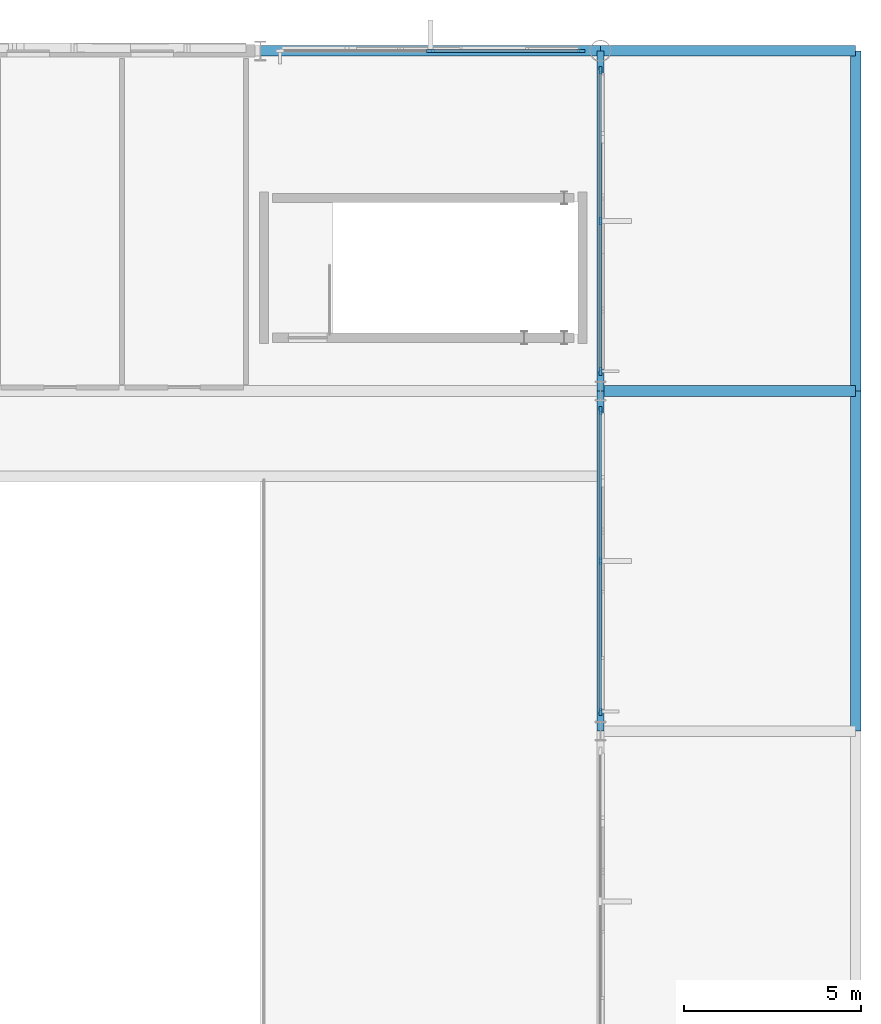
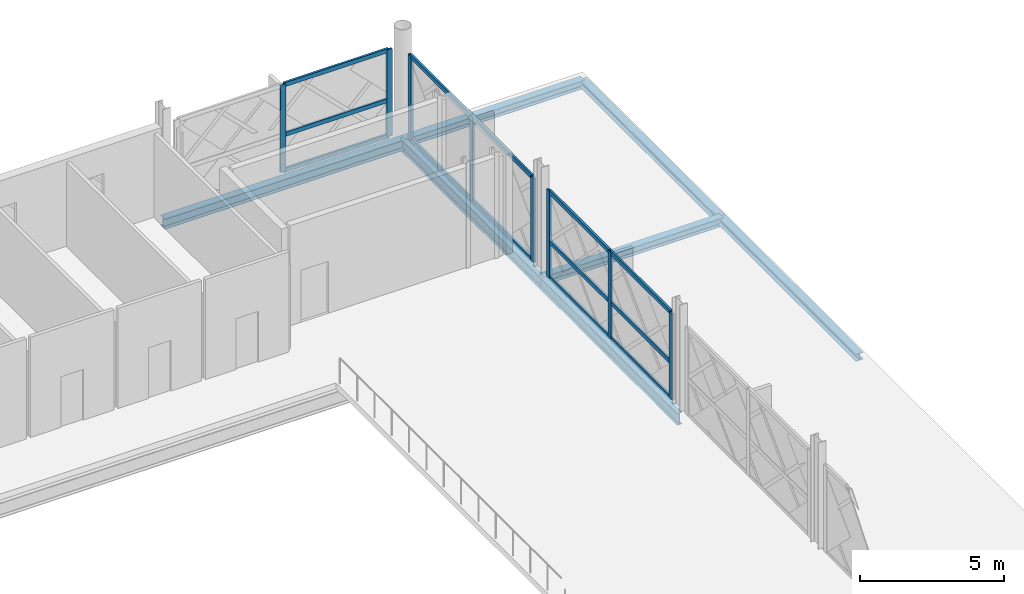
# One storey, part 58 of 101: 21 members, 7 beams, 3 elements without a shape of their own.
"""IFC4 building model written with IfcOpenShell, lengths in metres."""

from ifc_helpers import new_model, si_unit, direction, frame, origin, origin_2d, place, context, subcontext, project, spatial, rectangle, i_section, extrude, material, layer, layer_set, material_profile, profile_set, type_object, element, aggregate, save


model = new_model("IFC4")

# Units and contexts
model_context = context("Model", 3, precision=1e-05, world=origin(), true_north=direction((0.0, 1.0)))
body_context = subcontext(model_context, "Body", "Model", "MODEL_VIEW")
ifc_project = project(units=[si_unit("LENGTHUNIT", "METRE"), si_unit("AREAUNIT", "SQUARE_METRE"), si_unit("VOLUMEUNIT", "CUBIC_METRE"), si_unit("PLANEANGLEUNIT", "RADIAN"), si_unit("MASSUNIT", "GRAM", prefix="KILO")], contexts=[model_context])

# Site, building, storey
site_placement = place(None, origin())
site = spatial("IfcSite", under=ifc_project, at=site_placement, CompositionType="ELEMENT")
building_placement = place(site_placement, origin())
building = spatial("IfcBuilding", under=site, at=building_placement, Name="Zevrakil Square Congress Hotel", CompositionType="ELEMENT")
storey_placement = place(building_placement, frame((0.0, 0.0, 5.39990234375)))
storey = spatial("IfcBuildingStorey", under=building, at=storey_placement, Name="L02", CompositionType="ELEMENT", Elevation=5.39990234375)

# Beams
ifc_material_1 = material(Name="Steel S355", Category="steel")
ifc_material_profile_1 = material_profile(ifc_material_1, i_section(OverallWidth=0.300048828125, OverallDepth=0.35009765625, WebThickness=0.010009765625, FlangeThickness=0.017578125, FilletRadius=0.027099609375, at=origin_2d()), Name="HEA 360")
ifc_profile_set_1 = profile_set([ifc_material_profile_1], Name="Steel S355")
beam_type_1 = type_object("IfcBeamType", Name="BM-HEA360", PredefinedType="BEAM", material=ifc_profile_set_1)
for number, where, z_axis, x_axis, name in (
    (1, (165.60009765625, 103.199951171875, -0.434814453125), (1.0, 0.0, 0.0), (0.0, 1.0, 0.0), "L02 primary girder BX-0798"),
    (2, (165.60009765625, 112.800048828125, -0.434814453125), (1.0, 0.0, 0.0), (0.0, 1.0, 0.0), "L02 primary girder BX-0817"),
):
    element("IfcBeam", number, at=place(storey_placement, frame(where, z_axis=z_axis, x_axis=x_axis)), inside=storey, type_object=beam_type_1, Name=name, PredefinedType="BEAM", context=body_context, shape_type="SweptSolid", body=[
        extrude(i_section(OverallWidth=0.300048828125, OverallDepth=0.35009765625, WebThickness=0.010009765625, FlangeThickness=0.017578125, FilletRadius=0.027099609375, at=origin_2d()), origin(), (0.0, 0.0, 1.0), 7.199951171875),
    ])
ifc_material_2 = material(Name="Steel S355", Category="steel")
ifc_material_profile_2 = material_profile(ifc_material_2, i_section(OverallWidth=0.300048828125, OverallDepth=0.43994140625, WebThickness=0.011474609375, FlangeThickness=0.02099609375, FilletRadius=0.027099609375, at=origin_2d()), Name="HEA 450")
ifc_profile_set_2 = profile_set([ifc_material_profile_2], Name="Steel S355")
beam_type_2 = type_object("IfcBeamType", Name="BM-HEA450", PredefinedType="BEAM", material=ifc_profile_set_2)
beam_1_placement = place(storey_placement, frame((156.0, 112.800048828125, -0.47998046875), z_axis=(1.0, 0.0, 0.0), x_axis=(0.0, 1.0, 0.0)))
element("IfcBeam", 3, at=beam_1_placement, inside=storey, type_object=beam_type_2, Name="L02 primary girder BX-0816", PredefinedType="BEAM", context=body_context, shape_type="SweptSolid", body=[
    extrude(i_section(OverallWidth=0.300048828125, OverallDepth=0.43994140625, WebThickness=0.011474609375, FlangeThickness=0.02099609375, FilletRadius=0.027099609375, at=origin_2d()), origin(), (0.0, 0.0, 1.0), 9.60009765625),
])
ifc_material_3 = material(Name="Steel S355", Category="steel")
ifc_material_profile_3 = material_profile(ifc_material_3, i_section(OverallWidth=0.199951171875, OverallDepth=0.5, WebThickness=0.01025390625, FlangeThickness=0.01611328125, FilletRadius=0.02099609375, at=origin_2d()), Name="IPE 500")
ifc_profile_set_3 = profile_set([ifc_material_profile_3], Name="Steel S355")
beam_type_3 = type_object("IfcBeamType", Name="BM-IPE500", PredefinedType="BEAM", material=ifc_profile_set_3)
beam_2_placement = place(storey_placement, frame((165.60009765625, 93.60009765625, -0.510009765625), z_axis=(0.0, 1.0, 0.0), x_axis=(-1.0, 0.0, 0.0)))
element("IfcBeam", 4, at=beam_2_placement, inside=storey, type_object=beam_type_3, Name="L02 primary girder BY-0954", PredefinedType="BEAM", context=body_context, shape_type="SweptSolid", body=[
    extrude(i_section(OverallWidth=0.199951171875, OverallDepth=0.5, WebThickness=0.01025390625, FlangeThickness=0.01611328125, FilletRadius=0.02099609375, at=origin_2d()), origin(), (0.0, 0.0, 1.0), 9.599853515625),
])
beam_3_placement = place(storey_placement, frame((165.60009765625, 103.199951171875, -0.510009765625), z_axis=(0.0, 1.0, 0.0), x_axis=(-1.0, 0.0, 0.0)))
element("IfcBeam", 5, at=beam_3_placement, inside=storey, type_object=beam_type_3, Name="L02 primary girder BY-0955", PredefinedType="BEAM", context=body_context, shape_type="SweptSolid", body=[
    extrude(i_section(OverallWidth=0.199951171875, OverallDepth=0.5, WebThickness=0.01025390625, FlangeThickness=0.01611328125, FilletRadius=0.02099609375, at=origin_2d()), origin(), (0.0, 0.0, 1.0), 9.60009765625),
])

# Curtain wall, members
ifc_material_4 = material(Name="Aluminium Anodised Bronze", Category="aluminium")
ifc_layer = layer(ifc_material_4, 0.179931640625)
ifc_layer_set = layer_set([ifc_layer], Name="Aluminium Anodised Bronze")
curtain_wall_type = type_object("IfcCurtainWallType", Name="CW-L02-840", PredefinedType="USERDEFINED", material=ifc_layer_set)
curtain_wall_1_placement = place(storey_placement, origin())
curtain_wall_1 = element("IfcCurtainWall", 6, at=curtain_wall_1_placement, inside=storey, type_object=curtain_wall_type, Name="L02 diamond curtain wall CW-L02-0048", ObjectType="GLAZED CURTAIN WALL", PredefinedType="USERDEFINED")
ifc_material_5 = material(Name="Aluminium Anodised Bronze", Category="aluminium")
ifc_material_profile_4 = material_profile(ifc_material_5, rectangle(XDim=0.0849609375, YDim=0.179931640625, at=origin_2d()), Name="ALU 85x180")
ifc_profile_set_4 = profile_set([ifc_material_profile_4], Name="Aluminium Anodised Bronze")
member_type_1 = type_object("IfcMemberType", Name="CWM-ALU85x180", PredefinedType="USERDEFINED", material=ifc_profile_set_4)
member_1_placement = place(storey_placement, frame((160.830078125, 112.800048828125, 0.030029296875), z_axis=(1.0, 0.0, 0.0), x_axis=(0.0, 1.0, 0.0)))
member_1 = element("IfcMember", 7, at=member_1_placement, type_object=member_type_1, Name="CW-23 transom 2.1", ObjectType="TRANSOM", PredefinedType="USERDEFINED", context=body_context, shape_type="SweptSolid", body=[
    extrude(rectangle(XDim=0.0849609375, YDim=0.179931640625, at=origin_2d()), origin(), (0.0, 0.0, 1.0), 4.18994140625),
])
member_2_placement = place(storey_placement, frame((160.830078125, 112.800048828125, 1.5478515625), z_axis=(1.0, 0.0, 0.0), x_axis=(0.0, 1.0, 0.0)))
member_2 = element("IfcMember", 8, at=member_2_placement, type_object=member_type_1, Name="CW-23 transom 2.2", ObjectType="TRANSOM", PredefinedType="USERDEFINED", context=body_context, shape_type="SweptSolid", body=[
    extrude(rectangle(XDim=0.0849609375, YDim=0.179931640625, at=origin_2d()), origin(), (0.0, 0.0, 1.0), 4.18994140625),
])
member_3_placement = place(storey_placement, frame((160.830078125, 112.800048828125, 3.655029296875), z_axis=(1.0, 0.0, 0.0), x_axis=(0.0, 1.0, 0.0)))
member_3 = element("IfcMember", 9, at=member_3_placement, type_object=member_type_1, Name="CW-23 transom 2.3", ObjectType="TRANSOM", PredefinedType="USERDEFINED", context=body_context, shape_type="SweptSolid", body=[
    extrude(rectangle(XDim=0.0849609375, YDim=0.179931640625, at=origin_2d()), origin(), (0.0, 0.0, 1.0), 4.18994140625),
])

curtain_wall_2_placement = place(storey_placement, origin())
curtain_wall_2 = element("IfcCurtainWall", 10, at=curtain_wall_2_placement, inside=storey, type_object=curtain_wall_type, Name="L02 diamond curtain wall CW-L02-0054", ObjectType="GLAZED CURTAIN WALL", PredefinedType="USERDEFINED")
member_4_placement = place(storey_placement, frame((165.60009765625, 94.179931640625, 0.030029296875), z_axis=(0.0, 1.0, 0.0), x_axis=(-1.0, 0.0, 0.0)))
member_4 = element("IfcMember", 11, at=member_4_placement, type_object=member_type_1, Name="CW-23 transom 1.1", ObjectType="TRANSOM", PredefinedType="USERDEFINED", context=body_context, shape_type="SweptSolid", body=[
    extrude(rectangle(XDim=0.0849609375, YDim=0.179931640625, at=origin_2d()), origin(), (0.0, 0.0, 1.0), 4.190185546875),
])
member_5_placement = place(storey_placement, frame((165.60009765625, 94.179931640625, 1.543701171875), z_axis=(0.0, 1.0, 0.0), x_axis=(-1.0, 0.0, 0.0)))
member_5 = element("IfcMember", 12, at=member_5_placement, type_object=member_type_1, Name="CW-23 transom 1.2", ObjectType="TRANSOM", PredefinedType="USERDEFINED", context=body_context, shape_type="SweptSolid", body=[
    extrude(rectangle(XDim=0.0849609375, YDim=0.179931640625, at=origin_2d()), origin(), (0.0, 0.0, 1.0), 4.190185546875),
])
member_6_placement = place(storey_placement, frame((165.60009765625, 94.179931640625, 3.64501953125), z_axis=(0.0, 1.0, 0.0), x_axis=(-1.0, 0.0, 0.0)))
member_6 = element("IfcMember", 13, at=member_6_placement, type_object=member_type_1, Name="CW-23 transom 1.3", ObjectType="TRANSOM", PredefinedType="USERDEFINED", context=body_context, shape_type="SweptSolid", body=[
    extrude(rectangle(XDim=0.0849609375, YDim=0.179931640625, at=origin_2d()), origin(), (0.0, 0.0, 1.0), 4.190185546875),
])
member_7_placement = place(storey_placement, frame((165.60009765625, 98.429931640625, 0.030029296875), z_axis=(0.0, 1.0, 0.0), x_axis=(-1.0, 0.0, 0.0)))
member_7 = element("IfcMember", 14, at=member_7_placement, type_object=member_type_1, Name="CW-23 transom 2.1", ObjectType="TRANSOM", PredefinedType="USERDEFINED", context=body_context, shape_type="SweptSolid", body=[
    extrude(rectangle(XDim=0.0849609375, YDim=0.179931640625, at=origin_2d()), origin(), (0.0, 0.0, 1.0), 4.190185546875),
])
member_8_placement = place(storey_placement, frame((165.60009765625, 98.429931640625, 1.543701171875), z_axis=(0.0, 1.0, 0.0), x_axis=(-1.0, 0.0, 0.0)))
member_8 = element("IfcMember", 15, at=member_8_placement, type_object=member_type_1, Name="CW-23 transom 2.2", ObjectType="TRANSOM", PredefinedType="USERDEFINED", context=body_context, shape_type="SweptSolid", body=[
    extrude(rectangle(XDim=0.0849609375, YDim=0.179931640625, at=origin_2d()), origin(), (0.0, 0.0, 1.0), 4.190185546875),
])
member_9_placement = place(storey_placement, frame((165.60009765625, 98.429931640625, 3.64501953125), z_axis=(0.0, 1.0, 0.0), x_axis=(-1.0, 0.0, 0.0)))
member_9 = element("IfcMember", 16, at=member_9_placement, type_object=member_type_1, Name="CW-23 transom 2.3", ObjectType="TRANSOM", PredefinedType="USERDEFINED", context=body_context, shape_type="SweptSolid", body=[
    extrude(rectangle(XDim=0.0849609375, YDim=0.179931640625, at=origin_2d()), origin(), (0.0, 0.0, 1.0), 4.190185546875),
])

curtain_wall_3_placement = place(storey_placement, origin())
curtain_wall_3 = element("IfcCurtainWall", 17, at=curtain_wall_3_placement, inside=storey, type_object=curtain_wall_type, Name="L02 diamond curtain wall CW-L02-0055", ObjectType="GLAZED CURTAIN WALL", PredefinedType="USERDEFINED")
member_10_placement = place(storey_placement, frame((165.60009765625, 103.780029296875, 0.030029296875), z_axis=(0.0, 1.0, 0.0), x_axis=(-1.0, 0.0, 0.0)))
member_10 = element("IfcMember", 18, at=member_10_placement, type_object=member_type_1, Name="CW-23 transom 1.1", ObjectType="TRANSOM", PredefinedType="USERDEFINED", context=body_context, shape_type="SweptSolid", body=[
    extrude(rectangle(XDim=0.0849609375, YDim=0.179931640625, at=origin_2d()), origin(), (0.0, 0.0, 1.0), 4.18994140625),
])
member_11_placement = place(storey_placement, frame((165.60009765625, 103.780029296875, 3.545166015625), z_axis=(0.0, 1.0, 0.0), x_axis=(-1.0, 0.0, 0.0)))
member_11 = element("IfcMember", 19, at=member_11_placement, type_object=member_type_1, Name="CW-23 transom 1.2", ObjectType="TRANSOM", PredefinedType="USERDEFINED", context=body_context, shape_type="SweptSolid", body=[
    extrude(rectangle(XDim=0.0849609375, YDim=0.179931640625, at=origin_2d()), origin(), (0.0, 0.0, 1.0), 4.18994140625),
])
member_12_placement = place(storey_placement, frame((165.60009765625, 108.030029296875, 0.030029296875), z_axis=(0.0, 1.0, 0.0), x_axis=(-1.0, 0.0, 0.0)))
member_12 = element("IfcMember", 20, at=member_12_placement, type_object=member_type_1, Name="CW-23 transom 2.1", ObjectType="TRANSOM", PredefinedType="USERDEFINED", context=body_context, shape_type="SweptSolid", body=[
    extrude(rectangle(XDim=0.0849609375, YDim=0.179931640625, at=origin_2d()), origin(), (0.0, 0.0, 1.0), 4.18994140625),
])
member_13_placement = place(storey_placement, frame((165.60009765625, 108.030029296875, 3.545166015625), z_axis=(0.0, 1.0, 0.0), x_axis=(-1.0, 0.0, 0.0)))
member_13 = element("IfcMember", 21, at=member_13_placement, type_object=member_type_1, Name="CW-23 transom 2.2", ObjectType="TRANSOM", PredefinedType="USERDEFINED", context=body_context, shape_type="SweptSolid", body=[
    extrude(rectangle(XDim=0.0849609375, YDim=0.179931640625, at=origin_2d()), origin(), (0.0, 0.0, 1.0), 4.18994140625),
])

# Member
ifc_material_6 = material(Name="Aluminium Anodised Bronze", Category="aluminium")
ifc_material_profile_5 = material_profile(ifc_material_6, rectangle(XDim=0.0849609375, YDim=0.219970703125, at=origin_2d()), Name="ALU 85x220")
ifc_profile_set_5 = profile_set([ifc_material_profile_5], Name="Aluminium Anodised Bronze")
member_type_2 = type_object("IfcMemberType", Name="CWM-ALU85x220", PredefinedType="MULLION", material=ifc_profile_set_5)
member_14_placement = place(storey_placement, frame((160.800048828125, 112.800048828125, 0.0), z_axis=(0.0, 0.0, 1.0), x_axis=(0.0, 1.0, 0.0)))
member_14 = element("IfcMember", 22, at=member_14_placement, type_object=member_type_2, Name="CW-23 mullion 2", PredefinedType="MULLION", context=body_context, shape_type="SweptSolid", body=[
    extrude(rectangle(XDim=0.0849609375, YDim=0.219970703125, at=origin_2d()), origin(), (0.0, 0.0, 1.0), 3.68505859375),
])

member_15_placement = place(storey_placement, frame((165.050048828125, 112.800048828125, 0.0), z_axis=(0.0, 0.0, 1.0), x_axis=(0.0, 1.0, 0.0)))
member_15 = element("IfcMember", 23, at=member_15_placement, type_object=member_type_2, Name="CW-23 mullion 3", PredefinedType="MULLION", context=body_context, shape_type="SweptSolid", body=[
    extrude(rectangle(XDim=0.0849609375, YDim=0.219970703125, at=origin_2d()), origin(), (0.0, 0.0, 1.0), 3.68505859375),
])

aggregate(curtain_wall_1, [member_14, member_15, member_1, member_2, member_3])

member_16_placement = place(storey_placement, frame((165.60009765625, 94.14990234375, 0.0), z_axis=(0.0, 0.0, 1.0), x_axis=(-1.0, 0.0, 0.0)))
member_16 = element("IfcMember", 24, at=member_16_placement, type_object=member_type_2, Name="CW-23 mullion 1", PredefinedType="MULLION", context=body_context, shape_type="SweptSolid", body=[
    extrude(rectangle(XDim=0.0849609375, YDim=0.219970703125, at=origin_2d()), origin(), (0.0, 0.0, 1.0), 3.675048828125),
])

member_17_placement = place(storey_placement, frame((165.60009765625, 98.39990234375, 0.0), z_axis=(0.0, 0.0, 1.0), x_axis=(-1.0, 0.0, 0.0)))
member_17 = element("IfcMember", 25, at=member_17_placement, type_object=member_type_2, Name="CW-23 mullion 2", PredefinedType="MULLION", context=body_context, shape_type="SweptSolid", body=[
    extrude(rectangle(XDim=0.0849609375, YDim=0.219970703125, at=origin_2d()), origin(), (0.0, 0.0, 1.0), 3.675048828125),
])

member_18_placement = place(storey_placement, frame((165.60009765625, 102.64990234375, 0.0), z_axis=(0.0, 0.0, 1.0), x_axis=(-1.0, 0.0, 0.0)))
member_18 = element("IfcMember", 26, at=member_18_placement, type_object=member_type_2, Name="CW-23 mullion 3", PredefinedType="MULLION", context=body_context, shape_type="SweptSolid", body=[
    extrude(rectangle(XDim=0.0849609375, YDim=0.219970703125, at=origin_2d()), origin(), (0.0, 0.0, 1.0), 3.675048828125),
])

aggregate(curtain_wall_2, [member_16, member_17, member_18, member_4, member_5, member_6, member_7, member_8, member_9])

member_19_placement = place(storey_placement, frame((165.60009765625, 103.75, 0.0), z_axis=(0.0, 0.0, 1.0), x_axis=(-1.0, 0.0, 0.0)))
member_19 = element("IfcMember", 27, at=member_19_placement, type_object=member_type_2, Name="CW-23 mullion 1", PredefinedType="MULLION", context=body_context, shape_type="SweptSolid", body=[
    extrude(rectangle(XDim=0.0849609375, YDim=0.219970703125, at=origin_2d()), origin(), (0.0, 0.0, 1.0), 3.5751953125),
])

member_20_placement = place(storey_placement, frame((165.60009765625, 108.0, 0.0), z_axis=(0.0, 0.0, 1.0), x_axis=(-1.0, 0.0, 0.0)))
member_20 = element("IfcMember", 28, at=member_20_placement, type_object=member_type_2, Name="CW-23 mullion 2", PredefinedType="MULLION", context=body_context, shape_type="SweptSolid", body=[
    extrude(rectangle(XDim=0.0849609375, YDim=0.219970703125, at=origin_2d()), origin(), (0.0, 0.0, 1.0), 3.5751953125),
])

member_21_placement = place(storey_placement, frame((165.60009765625, 112.25, 0.0), z_axis=(0.0, 0.0, 1.0), x_axis=(-1.0, 0.0, 0.0)))
member_21 = element("IfcMember", 29, at=member_21_placement, type_object=member_type_2, Name="CW-23 mullion 3", PredefinedType="MULLION", context=body_context, shape_type="SweptSolid", body=[
    extrude(rectangle(XDim=0.0849609375, YDim=0.219970703125, at=origin_2d()), origin(), (0.0, 0.0, 1.0), 3.5751953125),
])

aggregate(curtain_wall_3, [member_19, member_20, member_21, member_10, member_11, member_12, member_13])

# Beams
ifc_material_7 = material(Name="Steel S355", Category="steel")
ifc_material_profile_6 = material_profile(ifc_material_7, i_section(OverallWidth=0.300048828125, OverallDepth=0.300048828125, WebThickness=0.010986328125, FlangeThickness=0.01904296875, FilletRadius=0.027099609375, at=origin_2d()), Name="HEB 300")
ifc_profile_set_6 = profile_set([ifc_material_profile_6], Name="Steel S355")
beam_type_4 = type_object("IfcBeamType", Name="SPD-RHS250", PredefinedType="SPANDREL", material=ifc_profile_set_6)
beam_4_placement = place(storey_placement, frame((172.800048828125, 93.60009765625, -0.409912109375), z_axis=(0.0, 1.0, 0.0), x_axis=(-1.0, 0.0, 0.0)))
element("IfcBeam", 30, at=beam_4_placement, inside=storey, type_object=beam_type_4, Name="L02 primary girder BY-0966", PredefinedType="SPANDREL", context=body_context, shape_type="SweptSolid", body=[
    extrude(i_section(OverallWidth=0.300048828125, OverallDepth=0.300048828125, WebThickness=0.010986328125, FlangeThickness=0.01904296875, FilletRadius=0.027099609375, at=origin_2d()), origin(), (0.0, 0.0, 1.0), 9.599853515625),
])
beam_5_placement = place(storey_placement, frame((172.800048828125, 103.199951171875, -0.409912109375), z_axis=(0.0, 1.0, 0.0), x_axis=(-1.0, 0.0, 0.0)))
element("IfcBeam", 31, at=beam_5_placement, inside=storey, type_object=beam_type_4, Name="L02 primary girder BY-0967", PredefinedType="SPANDREL", context=body_context, shape_type="SweptSolid", body=[
    extrude(i_section(OverallWidth=0.300048828125, OverallDepth=0.300048828125, WebThickness=0.010986328125, FlangeThickness=0.01904296875, FilletRadius=0.027099609375, at=origin_2d()), origin(), (0.0, 0.0, 1.0), 9.60009765625),
])

save(model, "model.ifc")
